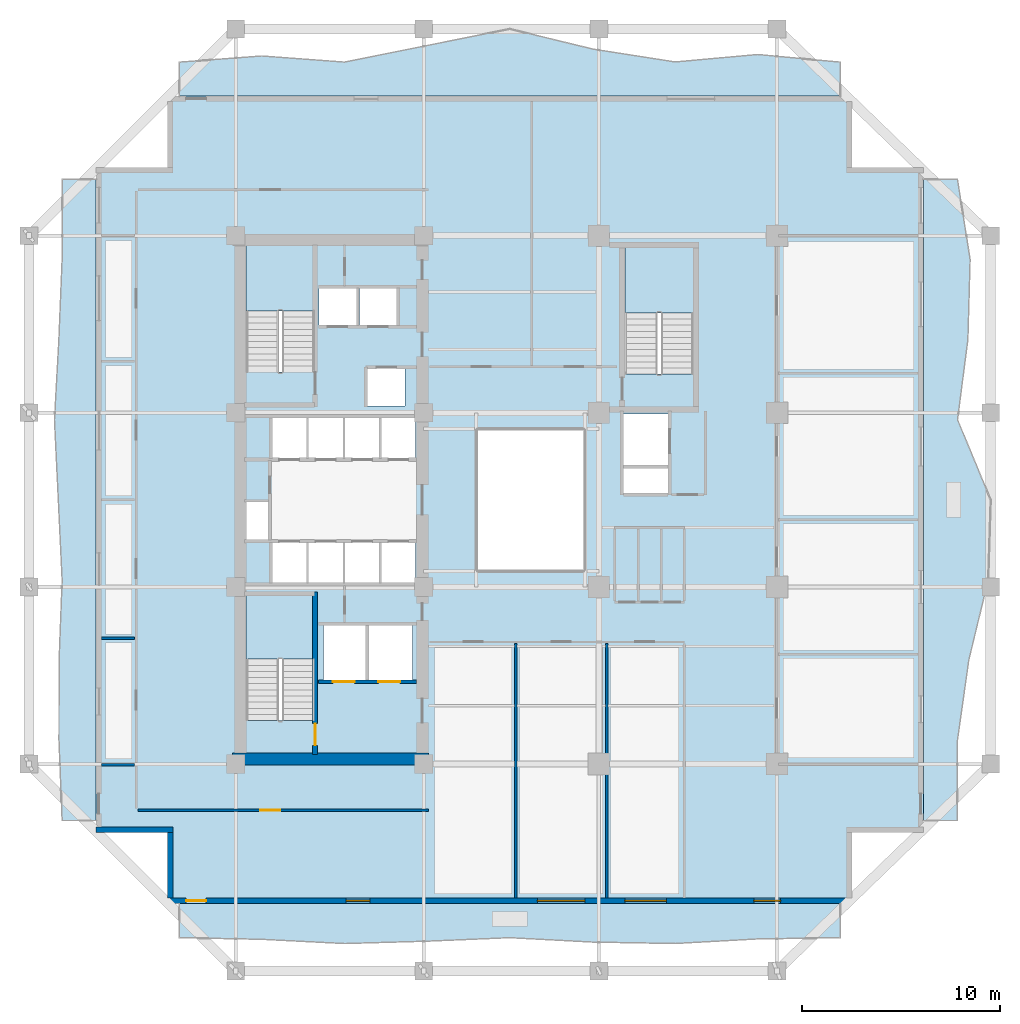
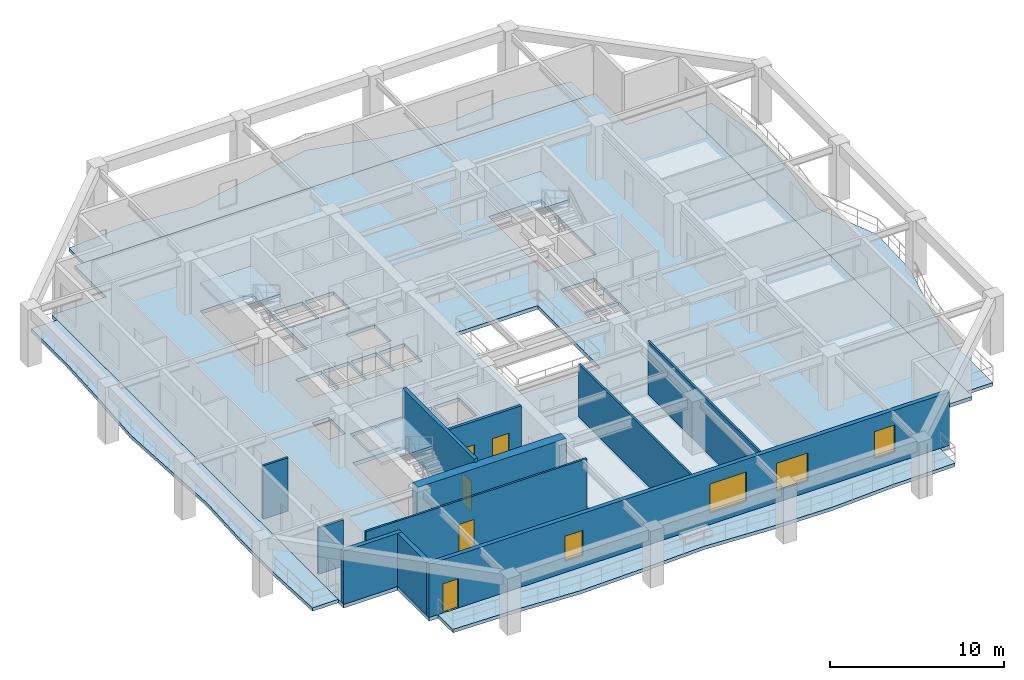
# One storey, part 2 of 11: 11 walls, 8 slabs, 5 doors, 4 windows, 9 openings, 3 elements without a shape of their own.
"""IFC4 building model written with IfcOpenShell, lengths in metres."""

from ifc_helpers import new_model, si_unit, direction, frame, frame_2d, origin, place, context, subcontext, project, spatial, polyline, rectangle, outline, extrude, material, layer, layer_set, type_object, element, fill, aggregate, save


model = new_model("IFC4")

# Units and contexts
model_context = context("Model", 3, precision=1e-05, world=origin(), true_north=direction((0.0, 1.0)))
body_context = subcontext(model_context, "Body", "Model", "MODEL_VIEW")
ifc_project = project(units=[si_unit("LENGTHUNIT", "METRE"), si_unit("AREAUNIT", "SQUARE_METRE"), si_unit("VOLUMEUNIT", "CUBIC_METRE"), si_unit("PLANEANGLEUNIT", "RADIAN"), si_unit("MASSUNIT", "GRAM", prefix="KILO")], contexts=[model_context])

# Site, building, storey
site_placement = place(None, origin())
site = spatial("IfcSite", under=ifc_project, at=site_placement, CompositionType="ELEMENT")
building_placement = place(site_placement, origin())
building = spatial("IfcBuilding", under=site, at=building_placement, Name="Kundavana Baori Tower", CompositionType="ELEMENT")
storey_placement = place(building_placement, frame((0.0, 0.0, 86.0)))
storey = spatial("IfcBuildingStorey", under=building, at=storey_placement, Name="L20", CompositionType="ELEMENT", Elevation=86.0)

# Slab
ifc_material_1 = material(Name="Concrete C40/50", Category="concrete")
ifc_layer_1 = layer(ifc_material_1, 0.260009765625, Name="SLB-FLR-260")
ifc_layer_set_1 = layer_set([ifc_layer_1], Name="Concrete C40/50")
slab_type_1 = type_object("IfcSlabType", Name="SLB-FLR-260", PredefinedType="FLOOR", material=ifc_layer_set_1)
slab_1_placement = place(storey_placement, frame((0.0, 0.0, -0.260009765625)))
element("IfcSlab", 1, at=slab_1_placement, inside=storey, type_object=slab_type_1, Name="L20 Structural Floor Slab", PredefinedType="FLOOR", context=body_context, shape_type="SweptSolid", body=[
    extrude(outline(polyline([(12.0, 8.199951171875), (46.60009765625, 8.199951171875), (46.60009765625, 11.800048828125), (50.199951171875, 11.800048828125), (50.199951171875, 45.39990234375), (46.60009765625, 45.39990234375), (46.60009765625, 49.0), (12.0, 49.0), (12.0, 45.39990234375), (8.39990234375, 45.39990234375), (8.39990234375, 11.800048828125), (12.0, 11.800048828125), (12.0, 8.199951171875)]), holes=[polyline([(19.43994140625, 17.4619140625), (19.43994140625, 23.85009765625), (15.97998046875, 23.85009765625), (15.97998046875, 17.4619140625), (19.43994140625, 17.4619140625)]), polyline([(19.43994140625, 35.06201171875), (19.43994140625, 41.449951171875), (15.97998046875, 41.449951171875), (15.97998046875, 35.06201171875), (19.43994140625, 35.06201171875)]), polyline([(38.580078125, 34.9619140625), (38.580078125, 41.35009765625), (35.1201171875, 41.35009765625), (35.1201171875, 34.9619140625), (38.580078125, 34.9619140625)]), polyline([(17.300048828125, 24.39990234375), (19.02001953125, 24.39990234375), (19.02001953125, 26.449951171875), (17.300048828125, 26.449951171875), (17.300048828125, 24.39990234375)]), polyline([(19.139892578125, 24.39990234375), (20.860107421875, 24.39990234375), (20.860107421875, 26.449951171875), (19.139892578125, 26.449951171875), (19.139892578125, 24.39990234375)]), polyline([(20.97998046875, 24.39990234375), (22.699951171875, 24.39990234375), (22.699951171875, 26.449951171875), (20.97998046875, 26.449951171875), (20.97998046875, 24.39990234375)]), polyline([(22.820068359375, 24.39990234375), (24.5400390625, 24.39990234375), (24.5400390625, 26.449951171875), (22.820068359375, 26.449951171875), (22.820068359375, 24.39990234375)]), polyline([(17.300048828125, 30.699951171875), (19.02001953125, 30.699951171875), (19.02001953125, 32.75), (17.300048828125, 32.75), (17.300048828125, 30.699951171875)]), polyline([(19.139892578125, 30.699951171875), (20.860107421875, 30.699951171875), (20.860107421875, 32.75), (19.139892578125, 32.75), (19.139892578125, 30.699951171875)]), polyline([(20.97998046875, 30.699951171875), (22.699951171875, 30.699951171875), (22.699951171875, 32.75), (20.97998046875, 32.75), (20.97998046875, 30.699951171875)]), polyline([(22.820068359375, 30.699951171875), (24.5400390625, 30.699951171875), (24.5400390625, 32.75), (22.820068359375, 32.75), (22.820068359375, 30.699951171875)]), polyline([(19.64990234375, 37.39990234375), (21.550048828125, 37.39990234375), (21.550048828125, 39.300048828125), (19.64990234375, 39.300048828125), (19.64990234375, 37.39990234375)]), polyline([(21.699951171875, 37.39990234375), (23.60009765625, 37.39990234375), (23.60009765625, 39.300048828125), (21.699951171875, 39.300048828125), (21.699951171875, 37.39990234375)]), polyline([(22.10009765625, 33.35009765625), (24.0, 33.35009765625), (24.0, 35.25), (22.10009765625, 35.25), (22.10009765625, 33.35009765625)]), polyline([(19.8798828125, 19.5), (22.02001953125, 19.5), (22.02001953125, 22.25), (19.8798828125, 22.25), (19.8798828125, 19.5)]), polyline([(22.179931640625, 19.5), (24.3798828125, 19.5), (24.3798828125, 22.25), (22.179931640625, 22.25), (22.179931640625, 19.5)]), polyline([(35.050048828125, 30.35009765625), (37.300048828125, 30.35009765625), (37.300048828125, 32.949951171875), (35.050048828125, 32.949951171875), (35.050048828125, 30.35009765625)]), polyline([(15.949951171875, 26.60009765625), (17.080078125, 26.60009765625), (17.080078125, 28.5), (15.949951171875, 28.5), (15.949951171875, 26.60009765625)]), polyline([(35.050048828125, 28.949951171875), (37.300048828125, 28.949951171875), (37.300048828125, 30.199951171875), (35.050048828125, 30.199951171875), (35.050048828125, 28.949951171875)]), polyline([(27.60009765625, 25.0), (33.10009765625, 25.0), (33.10009765625, 32.199951171875), (27.60009765625, 32.199951171875), (27.60009765625, 25.0)])]), origin(), (0.0, 0.0, 1.0), 0.260009765625),
])

# Stair, slab
ifc_material_2 = material(Name="Concrete C40/50", Category="concrete")
stair_type = type_object("IfcStairType", Name="STR-DOG-1650", PredefinedType="HALF_TURN_STAIR", material=ifc_material_2)
stair_1_placement = place(storey_placement, origin())
stair_1 = element("IfcStair", 2, at=stair_1_placement, inside=storey, type_object=stair_type, Name="L20 Protected Exit Stair ST1", PredefinedType="HALF_TURN_STAIR")
ifc_material_3 = material(Name="Concrete C40/50", Category="concrete")
ifc_layer_2 = layer(ifc_material_3, 0.199951171875, Name="SLB-LND-200")
ifc_layer_set_2 = layer_set([ifc_layer_2], Name="Concrete C40/50")
slab_type_2 = type_object("IfcSlabType", Name="SLB-LND-200", PredefinedType="LANDING", material=ifc_layer_set_2)
slab_2_placement = place(storey_placement, frame((0.0, 0.0, 1.800048828125)))
slab_2 = element("IfcSlab", 3, at=slab_2_placement, type_object=slab_type_2, Name="ST1 landing 1", PredefinedType="LANDING", context=body_context, shape_type="SweptSolid", body=[
    extrude(outline(polyline([(19.43994140625, 20.550048828125), (19.43994140625, 23.85009765625), (15.97998046875, 23.85009765625), (15.97998046875, 20.550048828125), (19.43994140625, 20.550048828125)])), origin(), (0.0, 0.0, 1.0), 0.199951171875),
])
aggregate(stair_1, [slab_2])

stair_2_placement = place(storey_placement, origin())
stair_2 = element("IfcStair", 4, at=stair_2_placement, inside=storey, type_object=stair_type, Name="L20 Protected Exit Stair ST2", PredefinedType="HALF_TURN_STAIR")
slab_3_placement = place(storey_placement, frame((0.0, 0.0, 1.800048828125)))
slab_3 = element("IfcSlab", 5, at=slab_3_placement, type_object=slab_type_2, Name="ST2 landing 1", PredefinedType="LANDING", context=body_context, shape_type="SweptSolid", body=[
    extrude(outline(polyline([(19.43994140625, 38.14990234375), (19.43994140625, 41.449951171875), (15.97998046875, 41.449951171875), (15.97998046875, 38.14990234375), (19.43994140625, 38.14990234375)])), origin(), (0.0, 0.0, 1.0), 0.199951171875),
])
aggregate(stair_2, [slab_3])

stair_3_placement = place(storey_placement, origin())
stair_3 = element("IfcStair", 6, at=stair_3_placement, inside=storey, type_object=stair_type, Name="L20 Protected Exit Stair ST3", PredefinedType="HALF_TURN_STAIR")
slab_4_placement = place(storey_placement, frame((0.0, 0.0, 1.800048828125)))
slab_4 = element("IfcSlab", 7, at=slab_4_placement, type_object=slab_type_2, Name="ST3 landing 1", PredefinedType="LANDING", context=body_context, shape_type="SweptSolid", body=[
    extrude(outline(polyline([(38.580078125, 38.050048828125), (38.580078125, 41.35009765625), (35.1201171875, 41.35009765625), (35.1201171875, 38.050048828125), (38.580078125, 38.050048828125)])), origin(), (0.0, 0.0, 1.0), 0.199951171875),
])
aggregate(stair_3, [slab_4])

# Slabs
ifc_material_4 = material(Name="Concrete C40/50", Category="concrete")
ifc_layer_3 = layer(ifc_material_4, 0.239990234375, Name="SLB-LOG-240")
ifc_layer_set_3 = layer_set([ifc_layer_3], Name="Concrete C40/50")
slab_type_3 = type_object("IfcSlabType", Name="SLB-LOG-240", PredefinedType="FLOOR", material=ifc_layer_set_3)
slab_5_placement = place(storey_placement, frame((0.0, 0.0, -0.239990234375)))
element("IfcSlab", 8, at=slab_5_placement, inside=storey, type_object=slab_type_3, Name="L20 Planted Loggia Balcony Slab S", PredefinedType="FLOOR", context=body_context, shape_type="SweptSolid", body=[
    extrude(outline(polyline([(12.60009765625, 8.199951171875), (46.0, 8.199951171875), (46.0, 6.47998046875), (41.824951171875, 6.416015625), (37.64990234375, 6.18505859375), (33.47509765625, 6.258056640625), (29.300048828125, 6.47900390625), (25.125, 6.302978515625), (20.949951171875, 6.18310546875), (16.77490234375, 6.39697265625), (12.60009765625, 6.47998046875), (12.60009765625, 8.199951171875)])), origin(), (0.0, 0.0, 1.0), 0.239990234375),
])
slab_6_placement = place(storey_placement, frame((0.0, 0.0, -0.239990234375)))
element("IfcSlab", 9, at=slab_6_placement, inside=storey, type_object=slab_type_3, Name="L20 Planted Loggia Balcony Slab E", PredefinedType="FLOOR", context=body_context, shape_type="SweptSolid", body=[
    extrude(outline(polyline([(50.199951171875, 12.39990234375), (50.199951171875, 44.800048828125), (51.919921875, 44.800048828125), (52.56005859375, 40.75), (52.446044921875, 36.699951171875), (51.924072265625, 32.64990234375), (53.60009765625, 28.60009765625), (53.470947265625, 24.550048828125), (52.490966796875, 20.5), (51.919921875, 16.449951171875), (51.919921875, 12.39990234375), (50.199951171875, 12.39990234375)])), origin(), (0.0, 0.0, 1.0), 0.239990234375),
])
slab_7_placement = place(storey_placement, frame((0.0, 0.0, -0.239990234375)))
element("IfcSlab", 10, at=slab_7_placement, inside=storey, type_object=slab_type_3, Name="L20 Planted Loggia Balcony Slab N", PredefinedType="FLOOR", context=body_context, shape_type="SweptSolid", body=[
    extrude(outline(polyline([(46.0, 49.0), (12.60009765625, 49.0), (12.60009765625, 50.719970703125), (16.77490234375, 51.031982421875), (20.949951171875, 50.720947265625), (25.125, 51.56298828125), (29.300048828125, 52.39990234375), (33.47509765625, 51.385009765625), (37.64990234375, 50.72900390625), (41.824951171875, 51.10595703125), (46.0, 50.719970703125), (46.0, 49.0)])), origin(), (0.0, 0.0, 1.0), 0.239990234375),
])
slab_8_placement = place(storey_placement, frame((0.0, 0.0, -0.239990234375)))
element("IfcSlab", 11, at=slab_8_placement, inside=storey, type_object=slab_type_3, Name="L20 Planted Loggia Balcony Slab W", PredefinedType="FLOOR", context=body_context, shape_type="SweptSolid", body=[
    extrude(outline(polyline([(8.39990234375, 44.800048828125), (8.39990234375, 12.39990234375), (6.679931640625, 12.39990234375), (6.51904296875, 16.449951171875), (6.52587890625, 20.5), (6.679931640625, 24.550048828125), (6.486083984375, 28.60009765625), (6.29296875, 32.64990234375), (6.513916015625, 36.699951171875), (6.678955078125, 40.75), (6.679931640625, 44.800048828125), (8.39990234375, 44.800048828125)])), origin(), (0.0, 0.0, 1.0), 0.239990234375),
])

# Wall, opening, door
ifc_material_5 = material(Name="Concrete C50/60", Category="concrete")
ifc_layer_4 = layer(ifc_material_5, 0.39990234375, Name="WL-CORE-400")
ifc_layer_set_4 = layer_set([ifc_layer_4], Name="Concrete C50/60")
wall_type_1 = type_object("IfcWallType", Name="WL-CORE-400", PredefinedType="SHEAR", material=ifc_layer_set_4)
wall_1_placement = place(storey_placement, frame((19.4599609375, 15.739990234375, 0.0), z_axis=(0.0, 0.0, 1.0), x_axis=(0.0, 1.0, 0.0)))
wall_1 = element("IfcWall", 12, at=wall_1_placement, inside=storey, type_object=wall_type_1, Name="WL-L20-ST1-E", PredefinedType="SHEAR", context=body_context, shape_type="SweptSolid", body=[
    extrude(rectangle(XDim=8.199951171875, YDim=0.239990234375, at=frame_2d((4.10009765625, 0.0))), origin(), (0.0, 0.0, 1.0), 4.0),
])
opening_1_placement = place(wall_1_placement, frame((0.449951171875, 0.0, 0.0)))
opening_1 = element("IfcOpeningElement", 13, at=opening_1_placement, cuts=wall_1, Name="Opening FD-110", PredefinedType="OPENING", context=body_context, shape_type="SweptSolid", body=[
    extrude(rectangle(XDim=1.10009765625, YDim=2.10009765625, at=frame_2d((0.550048828125, 1.050048828125))), frame((0.0, 0.1298828125, 0.0), z_axis=(0.0, -1.0, 0.0), x_axis=(1.0, 0.0, 0.0)), (0.0, 0.0, 1.0), 0.260009765625),
])
ifc_material_6 = material(Name="Galvanised Steel Fire-Rated Door Leaf", Category="steel")
door_type_1 = type_object("IfcDoorType", Name="DR-FD120-1100", OperationType="NOTDEFINED", PredefinedType="DOOR", material=ifc_material_6)
door_1_placement = place(opening_1_placement, origin())
door_1 = element("IfcDoor", 14, at=door_1_placement, inside=storey, type_object=door_type_1, Name="DR-L20-ST1", OperationType="SINGLE_SWING_LEFT", OverallHeight=2.10009765625, OverallWidth=1.10009765625, PredefinedType="DOOR", context=body_context, shape_type="SweptSolid", body=[
    extrude(rectangle(XDim=1.10009765625, YDim=2.10009765625, at=frame_2d((0.550048828125, 1.050048828125))), frame((0.0, 0.02490234375, 0.0), z_axis=(0.0, -1.0, 0.0), x_axis=(1.0, 0.0, 0.0)), (0.0, 0.0, 1.0), 0.050048828125),
])
fill(opening_1, door_1)

# Wall
ifc_material_7 = material(Name="Concrete C60/75", Category="concrete")
ifc_layer_5 = layer(ifc_material_7, 0.60009765625, Name="WL-CORE-600")
ifc_layer_set_5 = layer_set([ifc_layer_5], Name="Concrete C60/75")
wall_type_2 = type_object("IfcWallType", Name="WL-CORE-600", PredefinedType="SHEAR", material=ifc_layer_set_5)
wall_2_placement = place(storey_placement, frame((15.300048828125, 15.510009765625, 0.0), z_axis=(0.0, 0.0, 1.0), x_axis=(1.0, 0.0, 0.0)))
element("IfcWall", 15, at=wall_2_placement, inside=storey, type_object=wall_type_2, Name="L20 Offset Core South Shear Wall", PredefinedType="SHEAR", context=body_context, shape_type="SweptSolid", body=[
    extrude(rectangle(XDim=9.8798828125, YDim=0.60009765625, at=frame_2d((4.93994140625, 0.0))), origin(), (0.0, 0.0, 1.0), 3.739990234375),
])

# Wall, openings, door, windows
ifc_material_8 = material(Name="Red-Buff Dholpur Sandstone Cladding on Concrete C40/50", Category="masonry")
ifc_layer_6 = layer(ifc_material_8, 0.280029296875, Name="WL-EXT-SAND-280")
ifc_layer_set_6 = layer_set([ifc_layer_6], Name="Red-Buff Dholpur Sandstone Cladding on Concrete C40/50")
wall_type_3 = type_object("IfcWallType", Name="WL-EXT-SAND-280", PredefinedType="STANDARD", material=ifc_layer_set_6)
wall_3_placement = place(storey_placement, frame((12.0, 8.340087890625, 0.0), z_axis=(0.0, 0.0, 1.0), x_axis=(1.0, 0.0, 0.0)))
wall_3 = element("IfcWall", 16, at=wall_3_placement, inside=storey, type_object=wall_type_3, Name="L20 Exterior Insulated Facade Wall 01", PredefinedType="STANDARD", context=body_context, shape_type="SweptSolid", body=[
    extrude(rectangle(XDim=34.60009765625, YDim=0.280029296875, at=frame_2d((17.300048828125, 0.0))), origin(), (0.0, 0.0, 1.0), 3.739990234375),
])
opening_2_placement = place(wall_3_placement, frame((0.949951171875, 0.0, 0.0)))
opening_2 = element("IfcOpeningElement", 17, at=opening_2_placement, cuts=wall_3, Name="Opening BD-1", PredefinedType="OPENING", context=body_context, shape_type="SweptSolid", body=[
    extrude(rectangle(XDim=1.0, YDim=2.050048828125, at=frame_2d((0.5, 1.02490234375))), frame((0.0, 0.14990234375, 0.0), z_axis=(0.0, -1.0, 0.0), x_axis=(1.0, 0.0, 0.0)), (0.0, 0.0, 1.0), 0.300048828125),
])
opening_3_placement = place(wall_3_placement, frame((9.030029296875, 0.0, 0.800048828125)))
opening_3 = element("IfcOpeningElement", 18, at=opening_3_placement, cuts=wall_3, Name="Opening W-03", PredefinedType="OPENING", context=body_context, shape_type="SweptSolid", body=[
    extrude(rectangle(XDim=1.199951171875, YDim=1.75, at=frame_2d((0.60009765625, 0.875))), frame((0.0, 0.14990234375, 0.0), z_axis=(0.0, -1.0, 0.0), x_axis=(1.0, 0.0, 0.0)), (0.0, 0.0, 1.0), 0.300048828125),
])
opening_4_placement = place(wall_3_placement, frame((18.699951171875, 0.0, 0.800048828125)))
opening_4 = element("IfcOpeningElement", 19, at=opening_4_placement, cuts=wall_3, Name="Opening W-04", PredefinedType="OPENING", context=body_context, shape_type="SweptSolid", body=[
    extrude(rectangle(XDim=2.39990234375, YDim=2.050048828125, at=frame_2d((1.199951171875, 1.02490234375))), frame((0.0, 0.14990234375, 0.0), z_axis=(0.0, -1.0, 0.0), x_axis=(1.0, 0.0, 0.0)), (0.0, 0.0, 1.0), 0.300048828125),
])
opening_5_placement = place(wall_3_placement, frame((23.110107421875, 0.0, 0.800048828125)))
opening_5 = element("IfcOpeningElement", 20, at=opening_5_placement, cuts=wall_3, Name="Opening W-05", PredefinedType="OPENING", context=body_context, shape_type="SweptSolid", body=[
    extrude(rectangle(XDim=2.10009765625, YDim=1.949951171875, at=frame_2d((1.050048828125, 0.97509765625))), frame((0.0, 0.14990234375, 0.0), z_axis=(0.0, -1.0, 0.0), x_axis=(1.0, 0.0, 0.0)), (0.0, 0.0, 1.0), 0.300048828125),
])
opening_6_placement = place(wall_3_placement, frame((29.6298828125, 0.0, 0.800048828125)))
opening_6 = element("IfcOpeningElement", 21, at=opening_6_placement, cuts=wall_3, Name="Opening W-07", PredefinedType="OPENING", context=body_context, shape_type="SweptSolid", body=[
    extrude(rectangle(XDim=1.35009765625, YDim=1.89990234375, at=frame_2d((0.675048828125, 0.949951171875))), frame((0.0, 0.14990234375, 0.0), z_axis=(0.0, -1.0, 0.0), x_axis=(1.0, 0.0, 0.0)), (0.0, 0.0, 1.0), 0.300048828125),
])
ifc_material_9 = material(Name="Architectural Patinated Bronze Metalwork")
door_type_2 = type_object("IfcDoorType", Name="DR-EXT-LOG-1000", OperationType="NOTDEFINED", PredefinedType="DOOR", material=ifc_material_9)
door_2_placement = place(opening_2_placement, frame((1.0, 0.0, 0.0), z_axis=(0.0, 0.0, 1.0), x_axis=(-1.0, 0.0, 0.0)))
door_2 = element("IfcDoor", 22, at=door_2_placement, inside=storey, type_object=door_type_2, Name="L20 Loggia Balcony Access Door S", OperationType="SINGLE_SWING_LEFT", OverallHeight=2.050048828125, OverallWidth=1.0, PredefinedType="DOOR", context=body_context, shape_type="SweptSolid", body=[
    extrude(rectangle(XDim=1.0, YDim=2.050048828125, at=frame_2d((0.5, 1.02490234375))), frame((0.0, 0.02490234375, 0.0), z_axis=(0.0, -1.0, 0.0), x_axis=(1.0, 0.0, 0.0)), (0.0, 0.0, 1.0), 0.050048828125),
])
fill(opening_2, door_2)
ifc_material_10 = material(Name="Double-Glazed Solar-Control Low-E Insulated Glass", Category="glass")
window_type_1 = type_object("IfcWindowType", Name="WIN-LOG-1200x1750", PartitioningType="SINGLE_PANEL", PredefinedType="WINDOW", material=ifc_material_10)
window_1_placement = place(opening_3_placement, origin())
window_1 = element("IfcWindow", 23, at=window_1_placement, inside=storey, type_object=window_type_1, Name="L20 Recessed Loggia Window S-1", OverallHeight=1.75, OverallWidth=1.199951171875, PartitioningType="SINGLE_PANEL", PredefinedType="WINDOW", context=body_context, shape_type="SweptSolid", body=[
    extrude(rectangle(XDim=1.199951171875, YDim=1.75, at=frame_2d((0.60009765625, 0.875))), frame((0.0, 0.030029296875, 0.0), z_axis=(0.0, -1.0, 0.0), x_axis=(1.0, 0.0, 0.0)), (0.0, 0.0, 1.0), 0.06005859375),
])
fill(opening_3, window_1)
ifc_material_11 = material(Name="Double-Glazed Solar-Control Low-E Insulated Glass", Category="glass")
window_type_2 = type_object("IfcWindowType", Name="WIN-LOG-1350x1900", PartitioningType="SINGLE_PANEL", PredefinedType="WINDOW", material=ifc_material_11)
window_2_placement = place(opening_6_placement, origin())
window_2 = element("IfcWindow", 24, at=window_2_placement, inside=storey, type_object=window_type_2, Name="L20 Recessed Loggia Window S-4", OverallHeight=1.89990234375, OverallWidth=1.35009765625, PartitioningType="SINGLE_PANEL", PredefinedType="WINDOW", context=body_context, shape_type="SweptSolid", body=[
    extrude(rectangle(XDim=1.35009765625, YDim=1.89990234375, at=frame_2d((0.675048828125, 0.949951171875))), frame((0.0, 0.030029296875, 0.0), z_axis=(0.0, -1.0, 0.0), x_axis=(1.0, 0.0, 0.0)), (0.0, 0.0, 1.0), 0.06005859375),
])
fill(opening_6, window_2)
ifc_material_12 = material(Name="Double-Glazed Solar-Control Low-E Insulated Glass", Category="glass")
window_type_3 = type_object("IfcWindowType", Name="WIN-LOG-2100x1950", PartitioningType="SINGLE_PANEL", PredefinedType="WINDOW", material=ifc_material_12)
window_3_placement = place(opening_5_placement, origin())
window_3 = element("IfcWindow", 25, at=window_3_placement, inside=storey, type_object=window_type_3, Name="L20 Recessed Loggia Window S-3", OverallHeight=1.949951171875, OverallWidth=2.10009765625, PartitioningType="SINGLE_PANEL", PredefinedType="WINDOW", context=body_context, shape_type="SweptSolid", body=[
    extrude(rectangle(XDim=2.10009765625, YDim=1.949951171875, at=frame_2d((1.050048828125, 0.97509765625))), frame((0.0, 0.030029296875, 0.0), z_axis=(0.0, -1.0, 0.0), x_axis=(1.0, 0.0, 0.0)), (0.0, 0.0, 1.0), 0.06005859375),
])
fill(opening_5, window_3)
ifc_material_13 = material(Name="Double-Glazed Solar-Control Low-E Insulated Glass", Category="glass")
window_type_4 = type_object("IfcWindowType", Name="WIN-LOG-2400x2050", PartitioningType="SINGLE_PANEL", PredefinedType="WINDOW", material=ifc_material_13)
window_4_placement = place(opening_4_placement, origin())
window_4 = element("IfcWindow", 26, at=window_4_placement, inside=storey, type_object=window_type_4, Name="L20 Recessed Loggia Window S-2", OverallHeight=2.050048828125, OverallWidth=2.39990234375, PartitioningType="SINGLE_PANEL", PredefinedType="WINDOW", context=body_context, shape_type="SweptSolid", body=[
    extrude(rectangle(XDim=2.39990234375, YDim=2.050048828125, at=frame_2d((1.199951171875, 1.02490234375))), frame((0.0, 0.030029296875, 0.0), z_axis=(0.0, -1.0, 0.0), x_axis=(1.0, 0.0, 0.0)), (0.0, 0.0, 1.0), 0.06005859375),
])
fill(opening_4, window_4)

# Walls
wall_4_placement = place(storey_placement, frame((8.39990234375, 11.93994140625, 0.0), z_axis=(0.0, 0.0, 1.0), x_axis=(1.0, 0.0, 0.0)))
element("IfcWall", 27, at=wall_4_placement, inside=storey, type_object=wall_type_3, Name="L20 Exterior Insulated Facade Wall 11", PredefinedType="STANDARD", context=body_context, shape_type="SweptSolid", body=[
    extrude(rectangle(XDim=3.880126953125, YDim=0.280029296875, at=frame_2d((1.93994140625, 0.0))), origin(), (0.0, 0.0, 1.0), 3.739990234375),
])
wall_5_placement = place(storey_placement, frame((12.139892578125, 11.800048828125, 0.0), z_axis=(0.0, 0.0, 1.0), x_axis=(0.0, -1.0, 0.0)))
element("IfcWall", 28, at=wall_5_placement, inside=storey, type_object=wall_type_3, Name="L20 Exterior Insulated Facade Wall 12", PredefinedType="STANDARD", context=body_context, shape_type="SweptSolid", body=[
    extrude(rectangle(XDim=3.320068359375, YDim=0.280029296875, at=frame_2d((1.66015625, 0.0))), origin(), (0.0, 0.0, 1.0), 3.739990234375),
])

# Wall, openings, doors
ifc_material_14 = material(Name="Autoclaved Aerated Concrete Blockwork Masonry", Category="masonry")
ifc_layer_7 = layer(ifc_material_14, 0.179931640625, Name="WL-SHAFT-180")
ifc_layer_set_7 = layer_set([ifc_layer_7], Name="Autoclaved Aerated Concrete Blockwork Masonry")
wall_type_4 = type_object("IfcWallType", Name="WL-SHAFT-180", PredefinedType="SOLIDWALL", material=ifc_layer_set_7)
wall_6_placement = place(storey_placement, frame((19.639892578125, 19.419921875, 0.0), z_axis=(0.0, 0.0, 1.0), x_axis=(1.0, 0.0, 0.0)))
wall_6 = element("IfcWall", 29, at=wall_6_placement, inside=storey, type_object=wall_type_4, Name="WL-L20-FFL-S", PredefinedType="SOLIDWALL", context=body_context, shape_type="SweptSolid", body=[
    extrude(rectangle(XDim=4.940185546875, YDim=0.179931640625, at=frame_2d((2.47021484375, 0.0))), origin(), (0.0, 0.0, 1.0), 3.739990234375),
])
opening_7_placement = place(wall_6_placement, frame((0.719970703125, 0.0, 0.0)))
opening_7 = element("IfcOpeningElement", 30, at=opening_7_placement, cuts=wall_6, Name="Opening LD-110", PredefinedType="OPENING", context=body_context, shape_type="SweptSolid", body=[
    extrude(rectangle(XDim=1.10009765625, YDim=2.10009765625, at=frame_2d((0.550048828125, 1.050048828125))), frame((0.0, 0.10009765625, 0.0), z_axis=(0.0, -1.0, 0.0), x_axis=(1.0, 0.0, 0.0)), (0.0, 0.0, 1.0), 0.199951171875),
])
opening_8_placement = place(wall_6_placement, frame((3.02001953125, 0.0, 0.0)))
opening_8 = element("IfcOpeningElement", 31, at=opening_8_placement, cuts=wall_6, Name="Opening LD-110", PredefinedType="OPENING", context=body_context, shape_type="SweptSolid", body=[
    extrude(rectangle(XDim=1.10009765625, YDim=2.10009765625, at=frame_2d((0.550048828125, 1.050048828125))), frame((0.0, 0.10009765625, 0.0), z_axis=(0.0, -1.0, 0.0), x_axis=(1.0, 0.0, 0.0)), (0.0, 0.0, 1.0), 0.199951171875),
])
ifc_material_15 = material(Name="Galvanised Steel Fire-Rated Door Leaf", Category="steel")
door_type_3 = type_object("IfcDoorType", Name="DR-SLIDE-LD1100", OperationType="NOTDEFINED", PredefinedType="DOOR", material=ifc_material_15)
door_3_placement = place(opening_7_placement, origin())
door_3 = element("IfcDoor", 32, at=door_3_placement, inside=storey, type_object=door_type_3, Name="DR-L20-LD-FFL-1", OperationType="DOUBLE_DOOR_SLIDING", OverallHeight=2.10009765625, OverallWidth=1.10009765625, PredefinedType="DOOR", context=body_context, shape_type="SweptSolid", body=[
    extrude(rectangle(XDim=1.10009765625, YDim=2.10009765625, at=frame_2d((0.550048828125, 1.050048828125))), frame((0.0, 0.02490234375, 0.0), z_axis=(0.0, -1.0, 0.0), x_axis=(1.0, 0.0, 0.0)), (0.0, 0.0, 1.0), 0.050048828125),
])
fill(opening_7, door_3)
door_4_placement = place(opening_8_placement, origin())
door_4 = element("IfcDoor", 33, at=door_4_placement, inside=storey, type_object=door_type_3, Name="DR-L20-LD-FFL-2", OperationType="DOUBLE_DOOR_SLIDING", OverallHeight=2.10009765625, OverallWidth=1.10009765625, PredefinedType="DOOR", context=body_context, shape_type="SweptSolid", body=[
    extrude(rectangle(XDim=1.10009765625, YDim=2.10009765625, at=frame_2d((0.550048828125, 1.050048828125))), frame((0.0, 0.02490234375, 0.0), z_axis=(0.0, -1.0, 0.0), x_axis=(1.0, 0.0, 0.0)), (0.0, 0.0, 1.0), 0.050048828125),
])
fill(opening_8, door_4)

# Wall
ifc_material_16 = material(Name="Autoclaved Aerated Concrete Blockwork Masonry", Category="masonry")
ifc_layer_8 = layer(ifc_material_16, 0.125, Name="WL-WET-120")
ifc_layer_set_8 = layer_set([ifc_layer_8], Name="Autoclaved Aerated Concrete Blockwork Masonry")
wall_type_5 = type_object("IfcWallType", Name="WL-WET-120", PredefinedType="PLUMBINGWALL", material=ifc_layer_set_8)
wall_7_placement = place(storey_placement, frame((8.679931640625, 15.219970703125, 0.0), z_axis=(0.0, 0.0, 1.0), x_axis=(1.0, 0.0, 0.0)))
element("IfcWall", 34, at=wall_7_placement, inside=storey, type_object=wall_type_5, Name="WL-L20-OWS", PredefinedType="PLUMBINGWALL", context=body_context, shape_type="SweptSolid", body=[
    extrude(rectangle(XDim=1.66015625, YDim=0.125, at=frame_2d((0.830078125, 0.0))), origin(), (0.0, 0.0, 1.0), 3.239990234375),
])

# Wall, opening, door
wall_8_placement = place(storey_placement, frame((10.5, 12.919921875, 0.0), z_axis=(0.0, 0.0, 1.0), x_axis=(1.0, 0.0, 0.0)))
wall_8 = element("IfcWall", 35, at=wall_8_placement, inside=storey, type_object=wall_type_5, Name="WL-L20-OSC", PredefinedType="PLUMBINGWALL", context=body_context, shape_type="SweptSolid", body=[
    extrude(rectangle(XDim=14.699951171875, YDim=0.125, at=frame_2d((7.35009765625, 0.0))), origin(), (0.0, 0.0, 1.0), 3.739990234375),
])
opening_9_placement = place(wall_8_placement, frame((6.199951171875, 0.0, 0.0)))
opening_9 = element("IfcOpeningElement", 36, at=opening_9_placement, cuts=wall_8, Name="Opening ID-100", PredefinedType="OPENING", context=body_context, shape_type="SweptSolid", body=[
    extrude(rectangle(XDim=1.0, YDim=2.080078125, at=frame_2d((0.5, 1.0400390625))), frame((0.0, 0.072509765625, 0.0), z_axis=(0.0, -1.0, 0.0), x_axis=(1.0, 0.0, 0.0)), (0.0, 0.0, 1.0), 0.14501953125),
])
ifc_material_17 = material(Name="Engineered Teak Solid-Core Timber Veneer", Category="wood")
door_type_4 = type_object("IfcDoorType", Name="DR-INT-1000", OperationType="NOTDEFINED", PredefinedType="DOOR", material=ifc_material_17)
door_5_placement = place(opening_9_placement, frame((1.0, 0.0, 0.0), z_axis=(0.0, 0.0, 1.0), x_axis=(-1.0, 0.0, 0.0)))
door_5 = element("IfcDoor", 37, at=door_5_placement, inside=storey, type_object=door_type_4, Name="DR-L20-OSWC", OperationType="SINGLE_SWING_LEFT", OverallHeight=2.080078125, OverallWidth=1.0, PredefinedType="DOOR", context=body_context, shape_type="SweptSolid", body=[
    extrude(rectangle(XDim=1.0, YDim=2.080078125, at=frame_2d((0.5, 1.0400390625))), frame((0.0, 0.02490234375, 0.0), z_axis=(0.0, -1.0, 0.0), x_axis=(1.0, 0.0, 0.0)), (0.0, 0.0, 1.0), 0.050048828125),
])
fill(opening_9, door_5)

# Walls
wall_9_placement = place(storey_placement, frame((8.679931640625, 21.60009765625, 0.0), z_axis=(0.0, 0.0, 1.0), x_axis=(1.0, 0.0, 0.0)))
element("IfcWall", 38, at=wall_9_placement, inside=storey, type_object=wall_type_5, Name="WL-L20-WD1", PredefinedType="PLUMBINGWALL", context=body_context, shape_type="SweptSolid", body=[
    extrude(rectangle(XDim=1.66015625, YDim=0.125, at=frame_2d((0.830078125, 0.0))), origin(), (0.0, 0.0, 1.0), 3.739990234375),
])
for number, where, z_axis, x_axis, name in (
    (39, (29.60009765625, 8.47998046875, 0.0), (0.0, 0.0, 1.0), (0.0, 1.0, 0.0), "WL-L20-SD1"),
    (40, (34.199951171875, 8.47998046875, 0.0), (0.0, 0.0, 1.0), (0.0, 1.0, 0.0), "WL-L20-SD2"),
):
    element("IfcWall", number, at=place(storey_placement, frame(where, z_axis=z_axis, x_axis=x_axis)), inside=storey, type_object=wall_type_5, Name=name, PredefinedType="PLUMBINGWALL", context=body_context, shape_type="SweptSolid", body=[
        extrude(rectangle(XDim=12.860107421875, YDim=0.125, at=frame_2d((6.43017578125, 0.0))), origin(), (0.0, 0.0, 1.0), 3.739990234375),
    ])

save(model, "model.ifc")
